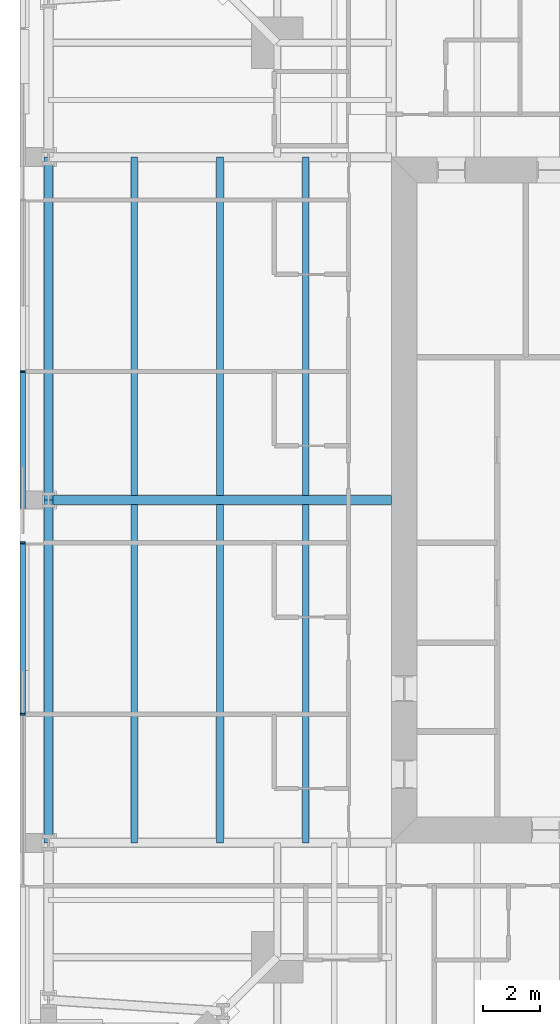
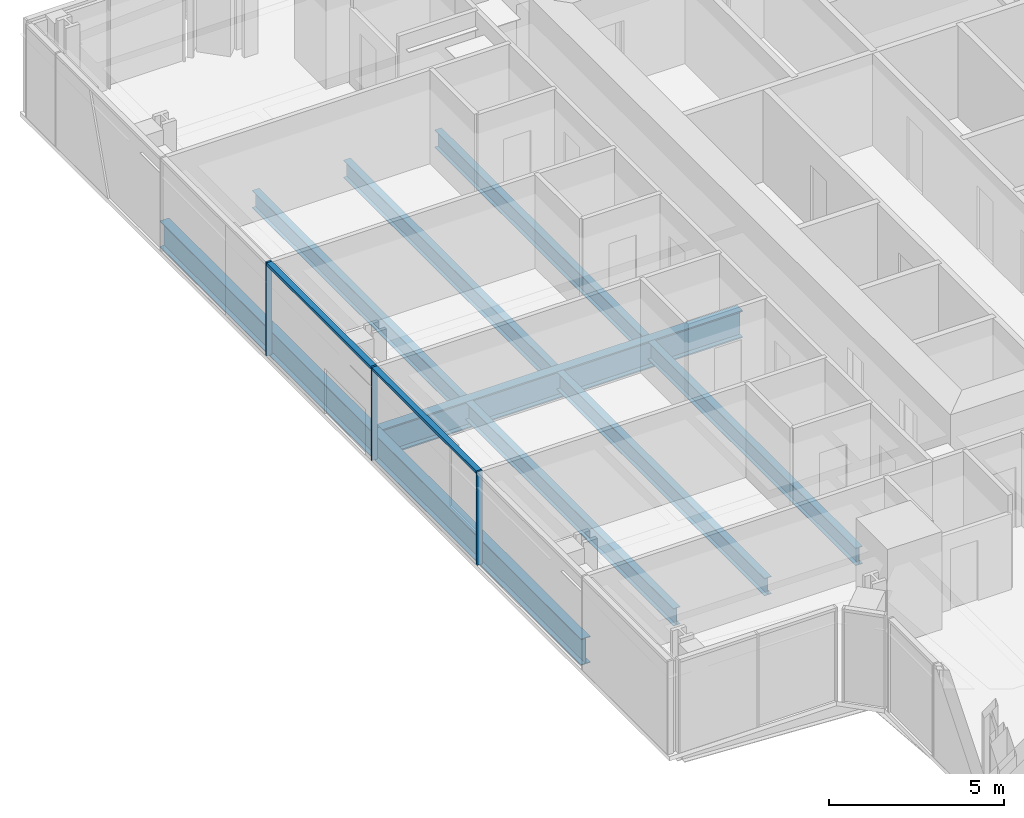
# One storey, part 4 of 20: 9 beams, 5 members, 1 element without a shape of its own.
"""IFC4 building model written with IfcOpenShell, lengths in metres."""

from ifc_helpers import new_model, si_unit, direction, frame, origin, origin_2d, place, context, subcontext, project, spatial, rectangle, i_section, extrude, material, material_profile, profile_set, type_object, element, aggregate, save


model = new_model("IFC4")

# Units and contexts
model_context = context("Model", 3, precision=1e-05, world=origin(), true_north=direction((0.0, 1.0)))
body_context = subcontext(model_context, "Body", "Model", "MODEL_VIEW")
ifc_project = project(units=[si_unit("LENGTHUNIT", "METRE"), si_unit("AREAUNIT", "SQUARE_METRE"), si_unit("VOLUMEUNIT", "CUBIC_METRE"), si_unit("PLANEANGLEUNIT", "RADIAN"), si_unit("MASSUNIT", "GRAM", prefix="KILO")], contexts=[model_context])

# Site, building, storey
site_placement = place(None, origin())
site = spatial("IfcSite", under=ifc_project, at=site_placement, CompositionType="ELEMENT")
building_placement = place(site_placement, origin())
building = spatial("IfcBuilding", under=site, at=building_placement, Name="Fenwick Lantern Interchange", CompositionType="ELEMENT")
storey_placement = place(building_placement, frame((0.0, 0.0, 249.199951171875)))
storey = spatial("IfcBuildingStorey", under=building, at=storey_placement, Name="L58", CompositionType="ELEMENT", Elevation=249.199951171875)

# Beams
ifc_material_1 = material(Name="Steel ASTM A992 Grade 50", Category="steel")
ifc_material_profile_1 = material_profile(ifc_material_1, i_section(OverallWidth=0.3046875, OverallDepth=0.911865234375, WebThickness=0.015869140625, FlangeThickness=0.02392578125, at=origin_2d()), Name="W36X150")
ifc_profile_set_1 = profile_set([ifc_material_profile_1], Name="Steel ASTM A992 Grade 50")
beam_type_1 = type_object("IfcBeamType", Name="EDGE BEAM W36X150", PredefinedType="SPANDREL", material=ifc_profile_set_1)
for number, where, z_axis, x_axis, name in (
    (1, (1.0, 37.0, -0.60595703125), (0.0, -1.0, 0.0), (1.0, 0.0, 0.0), "L58/FR/W/EB2"),
    (2, (1.0, 25.0, -0.60595703125), (0.0, -1.0, 0.0), (1.0, 0.0, 0.0), "L58/FR/W/EB3"),
):
    element("IfcBeam", number, at=place(storey_placement, frame(where, z_axis=z_axis, x_axis=x_axis)), inside=storey, type_object=beam_type_1, Name=name, PredefinedType="SPANDREL", context=body_context, shape_type="SweptSolid", body=[
        extrude(i_section(OverallWidth=0.3046875, OverallDepth=0.911865234375, WebThickness=0.015869140625, FlangeThickness=0.02392578125, at=origin_2d()), origin(), (0.0, 0.0, 1.0), 12.0),
    ])
ifc_material_profile_2 = material_profile(ifc_material_1, i_section(OverallWidth=0.22900390625, OverallDepth=0.612060546875, WebThickness=0.011962890625, FlangeThickness=0.01953125, at=origin_2d()), Name="W24X84")
ifc_profile_set_2 = profile_set([ifc_material_profile_2], Name="Steel ASTM A992 Grade 50")
beam_type_2 = type_object("IfcBeamType", Name="FLOOR BEAM W24X84", PredefinedType="BEAM", material=ifc_profile_set_2)
for number, where, z_axis, x_axis, name in (
    (3, (4.0, 37.0, -0.4560546875), (0.0, -1.0, 0.0), (1.0, 0.0, 0.0), "L58/FR/W/B01"),
    (4, (7.0, 37.0, -0.4560546875), (0.0, -1.0, 0.0), (1.0, 0.0, 0.0), "L58/FR/W/B02"),
    (5, (10.0, 37.0, -0.4560546875), (0.0, -1.0, 0.0), (1.0, 0.0, 0.0), "L58/FR/W/B03"),
    (6, (4.0, 24.844970703125, -0.4560546875), (0.0, -1.0, 0.0), (1.0, 0.0, 0.0), "L58/FR/W/B04"),
    (7, (7.0, 24.844970703125, -0.4560546875), (0.0, -1.0, 0.0), (1.0, 0.0, 0.0), "L58/FR/W/B05"),
    (8, (10.0, 24.844970703125, -0.4560546875), (0.0, -1.0, 0.0), (1.0, 0.0, 0.0), "L58/FR/W/B06"),
):
    element("IfcBeam", number, at=place(storey_placement, frame(where, z_axis=z_axis, x_axis=x_axis)), inside=storey, type_object=beam_type_2, Name=name, PredefinedType="BEAM", context=body_context, shape_type="SweptSolid", body=[
        extrude(i_section(OverallWidth=0.22900390625, OverallDepth=0.612060546875, WebThickness=0.011962890625, FlangeThickness=0.01953125, at=origin_2d()), origin(), (0.0, 0.0, 1.0), 11.844970703125),
    ])

# Curtain wall, members
ifc_material_2 = material(Name="Aluminium curtain wall frame", Category="aluminium")
curtain_wall_type = type_object("IfcCurtainWallType", Name="HOTEL CURTAIN WALL", PredefinedType="USERDEFINED", material=ifc_material_2)
curtain_wall_placement = place(storey_placement, origin())
curtain_wall = element("IfcCurtainWall", 9, at=curtain_wall_placement, inside=storey, type_object=curtain_wall_type, Name="Hotel curtain wall 13", ObjectType="HOTEL CURTAIN WALL", PredefinedType="USERDEFINED")
ifc_material_3 = material(Name="Aluminium extrusion", Category="aluminium")
ifc_material_profile_3 = material_profile(ifc_material_3, rectangle(XDim=0.179931640625, YDim=0.06005859375, at=origin_2d()), Name="HOTEL CURTAIN WALL MULLION 60 X 180")
ifc_profile_set_3 = profile_set([ifc_material_profile_3], Name="Aluminium extrusion")
member_type_1 = type_object("IfcMemberType", Name="HOTEL CURTAIN WALL MULLION 60 X 180", PredefinedType="MULLION", material=ifc_profile_set_3)
member_1_placement = place(storey_placement, frame((0.10009765625, 29.5, 0.0), z_axis=(0.0, 0.0, 1.0), x_axis=(1.0, 0.0, 0.0)))
member_1 = element("IfcMember", 10, at=member_1_placement, type_object=member_type_1, Name="L58/CW/13/M03", PredefinedType="MULLION", context=body_context, shape_type="SweptSolid", body=[
    extrude(rectangle(XDim=0.179931640625, YDim=0.06005859375, at=origin_2d()), origin(), (0.0, 0.0, 1.0), 3.25),
])
member_2_placement = place(storey_placement, frame((0.10009765625, 23.5, 0.0), z_axis=(0.0, 0.0, 1.0), x_axis=(1.0, 0.0, 0.0)))
member_2 = element("IfcMember", 11, at=member_2_placement, type_object=member_type_1, Name="L58/CW/13/M04", PredefinedType="MULLION", context=body_context, shape_type="SweptSolid", body=[
    extrude(rectangle(XDim=0.179931640625, YDim=0.06005859375, at=origin_2d()), origin(), (0.0, 0.0, 1.0), 3.25),
])
member_3_placement = place(storey_placement, frame((0.10009765625, 17.5, 0.0), z_axis=(0.0, 0.0, 1.0), x_axis=(1.0, 0.0, 0.0)))
member_3 = element("IfcMember", 12, at=member_3_placement, type_object=member_type_1, Name="L58/CW/13/M05", PredefinedType="MULLION", context=body_context, shape_type="SweptSolid", body=[
    extrude(rectangle(XDim=0.179931640625, YDim=0.06005859375, at=origin_2d()), origin(), (0.0, 0.0, 1.0), 3.25),
])
ifc_material_profile_4 = material_profile(ifc_material_3, rectangle(XDim=0.179931640625, YDim=0.10009765625, at=origin_2d()), Name="HOTEL CURTAIN WALL TRANSOM 100 X 180")
ifc_profile_set_4 = profile_set([ifc_material_profile_4], Name="Aluminium extrusion")
member_type_2 = type_object("IfcMemberType", Name="HOTEL CURTAIN WALL TRANSOM 100 X 180", PredefinedType="MULLION", material=ifc_profile_set_4)
member_4_placement = place(storey_placement, frame((0.10009765625, 29.469970703125, 3.199951171875), z_axis=(0.0, -1.0, 0.0), x_axis=(1.0, 0.0, 0.0)))
member_4 = element("IfcMember", 13, at=member_4_placement, type_object=member_type_2, Name="L58/CW/13/T03", PredefinedType="MULLION", context=body_context, shape_type="SweptSolid", body=[
    extrude(rectangle(XDim=0.179931640625, YDim=0.10009765625, at=origin_2d()), origin(), (0.0, 0.0, 1.0), 5.93994140625),
])
member_5_placement = place(storey_placement, frame((0.10009765625, 23.469970703125, 3.199951171875), z_axis=(0.0, -1.0, 0.0), x_axis=(1.0, 0.0, 0.0)))
member_5 = element("IfcMember", 14, at=member_5_placement, type_object=member_type_2, Name="L58/CW/13/T04", PredefinedType="MULLION", context=body_context, shape_type="SweptSolid", body=[
    extrude(rectangle(XDim=0.179931640625, YDim=0.10009765625, at=origin_2d()), origin(), (0.0, 0.0, 1.0), 5.93994140625),
])
aggregate(curtain_wall, [member_1, member_2, member_3, member_4, member_5])

# Beam
ifc_material_profile_5 = material_profile(ifc_material_1, i_section(OverallWidth=0.309814453125, OverallDepth=0.949951171875, WebThickness=0.0244140625, FlangeThickness=0.0439453125, at=origin_2d()), Name="W36X256")
ifc_profile_set_5 = profile_set([ifc_material_profile_5], Name="Steel ASTM A992 Grade 50")
beam_type_3 = type_object("IfcBeamType", Name="MOMENT-CONNECTED GIRDER W36X256", PredefinedType="BEAM", material=ifc_profile_set_5)
beam_placement = place(storey_placement, frame((1.0, 25.0, -0.625), z_axis=(1.0, 0.0, 0.0), x_axis=(0.0, 1.0, 0.0)))
element("IfcBeam", 15, at=beam_placement, inside=storey, type_object=beam_type_3, Name="L58/FR/W/R02", PredefinedType="BEAM", context=body_context, shape_type="SweptSolid", body=[
    extrude(i_section(OverallWidth=0.309814453125, OverallDepth=0.949951171875, WebThickness=0.0244140625, FlangeThickness=0.0439453125, at=origin_2d()), origin(), (0.0, 0.0, 1.0), 12.0),
])

save(model, "model.ifc")
